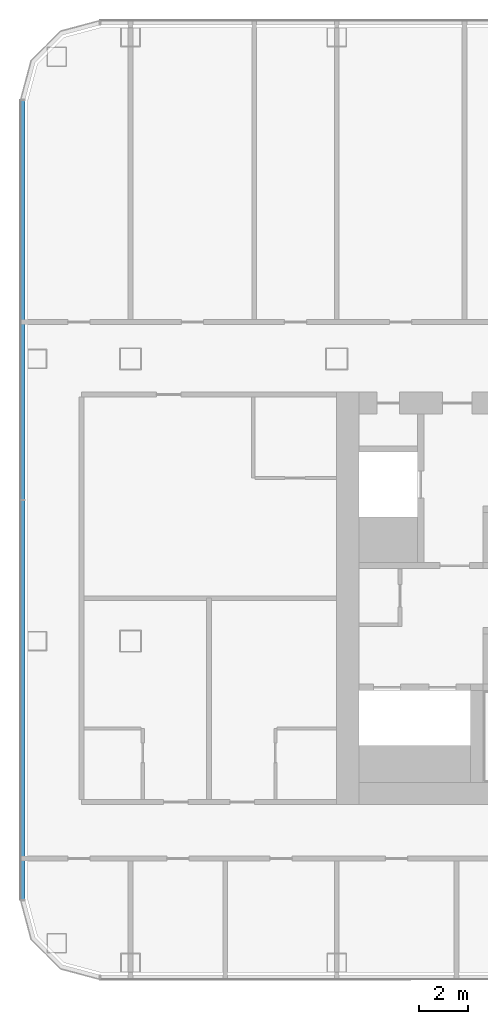
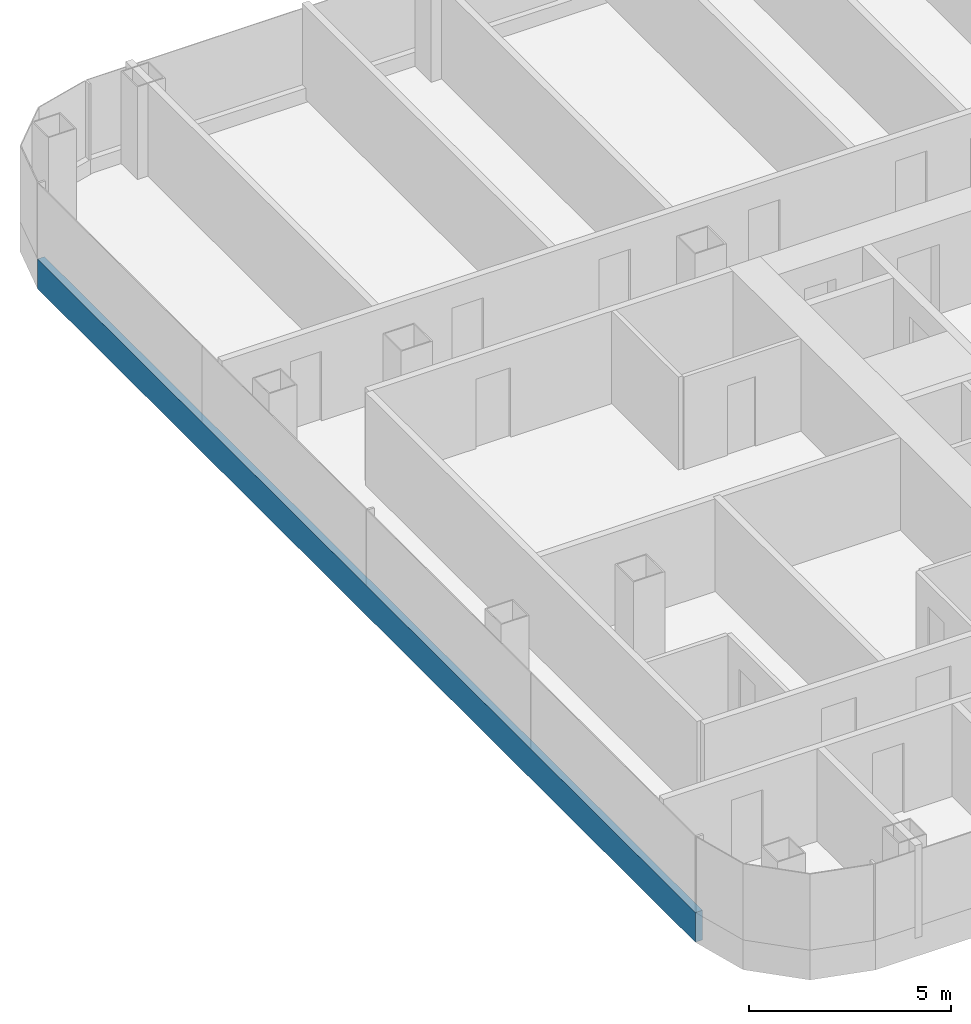
# One storey, part 3 of 29: 1 member, 1 element without a shape of its own.
"""IFC4 building model written with IfcOpenShell, lengths in metres."""

from ifc_helpers import new_model, si_unit, direction, frame, origin, origin_2d, place, context, subcontext, project, spatial, rectangle, extrude, material, layer, layer_set, material_profile, profile_set, type_object, element, aggregate, save


model = new_model("IFC4")

# Units and contexts
model_context = context("Model", 3, precision=1e-05, world=origin(), true_north=direction((0.0, 1.0)))
body_context = subcontext(model_context, "Body", "Model", "MODEL_VIEW")
ifc_project = project(units=[si_unit("LENGTHUNIT", "METRE"), si_unit("AREAUNIT", "SQUARE_METRE"), si_unit("VOLUMEUNIT", "CUBIC_METRE"), si_unit("PLANEANGLEUNIT", "RADIAN"), si_unit("MASSUNIT", "GRAM", prefix="KILO")], contexts=[model_context])

# Site, building, storey
site_placement = place(None, origin())
site = spatial("IfcSite", under=ifc_project, at=site_placement, CompositionType="ELEMENT")
building_placement = place(site_placement, origin())
building = spatial("IfcBuilding", under=site, at=building_placement, Name="Hakoniwa Tower and Hamabe Station Hall", CompositionType="ELEMENT")
storey_placement = place(building_placement, frame((0.0, 0.0, 85.0)))
storey = spatial("IfcBuildingStorey", under=building, at=storey_placement, Name="L23", CompositionType="ELEMENT", Elevation=85.0)

# Curtain wall, member
ifc_material_1 = material(Name="Dark low-e laminated glass", Category="glass")
ifc_layer = layer(ifc_material_1, 0.199951171875)
ifc_layer_set = layer_set([ifc_layer], Name="CW-1 UNITISED GUEST")
curtain_wall_type = type_object("IfcCurtainWallType", Name="CW-1 UNITISED GUEST", PredefinedType="NOTDEFINED", material=ifc_layer_set)
curtain_wall_placement = place(storey_placement, origin())
curtain_wall = element("IfcCurtainWall", 1, at=curtain_wall_placement, inside=storey, type_object=curtain_wall_type, Name="CW-1 curtain wall", PredefinedType="NOTDEFINED")
ifc_material_2 = material(Name="Aluminium 6063-T5 black anodised", Category="aluminium")
ifc_material_profile = material_profile(ifc_material_2, rectangle(XDim=0.199951171875, YDim=0.89990234375, at=origin_2d()), Name="CW SLAB-EDGE BAND 900X200")
ifc_profile_set = profile_set([ifc_material_profile], Name="Aluminium 6063-T5 black anodised")
member_type = type_object("IfcMemberType", Name="CW SLAB-EDGE BAND 900X200", PredefinedType="USERDEFINED", material=ifc_profile_set)
member_placement = place(storey_placement, frame((-46.39990234375, 20.28955078125, -0.10009765625), z_axis=(0.0, -1.0, 0.0), x_axis=(1.0, 0.0, 0.0)))
member = element("IfcMember", 2, at=member_placement, type_object=member_type, Name="CW-1 transom", ObjectType="TRANSOM", PredefinedType="USERDEFINED", context=body_context, shape_type="SweptSolid", body=[
    extrude(rectangle(XDim=0.199951171875, YDim=0.89990234375, at=origin_2d()), origin(), (0.0, 0.0, 1.0), 32.5791015625),
])
aggregate(curtain_wall, [member])

save(model, "model.ifc")
